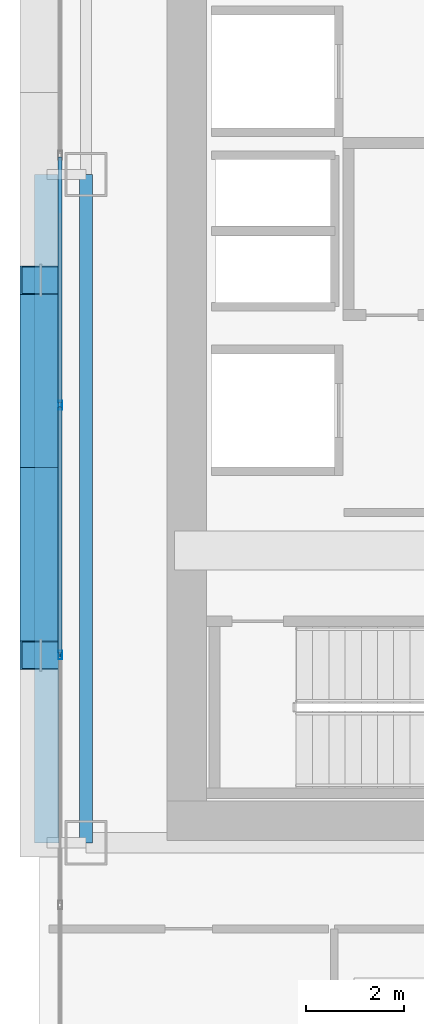
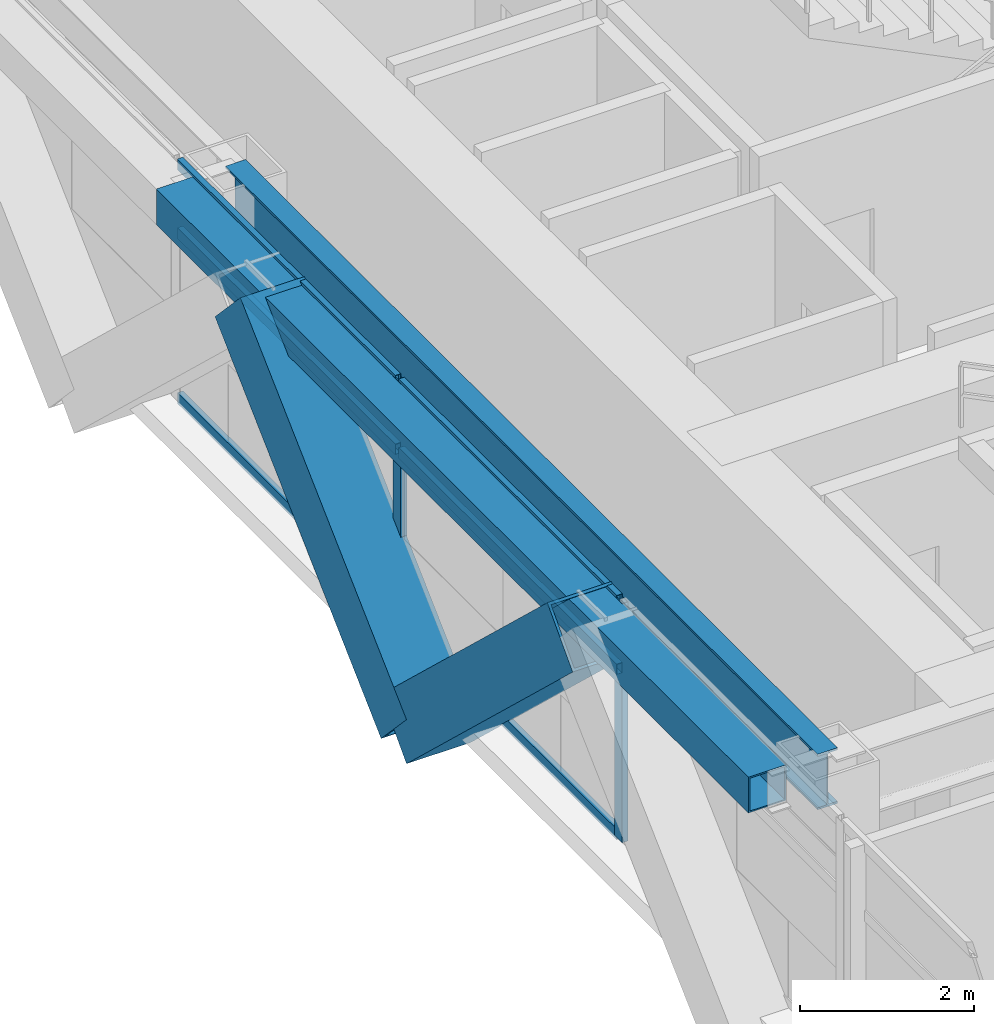
# One storey, part 6 of 35: 10 members, 2 beams, 1 element without a shape of its own.
"""IFC4 building model written with IfcOpenShell, lengths in metres."""

from ifc_helpers import new_model, si_unit, direction, frame, origin, origin_2d, place, context, subcontext, project, spatial, hollow_rectangle, i_section, extrude, source, transform, mapped, material, layer, layer_set, material_profile, profile_set, type_object, element, aggregate, save


model = new_model("IFC4")

# Units and contexts
model_context = context("Model", 3, precision=1e-05, world=origin(), true_north=direction((0.0, 1.0)))
body_context = subcontext(model_context, "Body", "Model", "MODEL_VIEW")
ifc_project = project(units=[si_unit("LENGTHUNIT", "METRE"), si_unit("AREAUNIT", "SQUARE_METRE"), si_unit("VOLUMEUNIT", "CUBIC_METRE"), si_unit("PLANEANGLEUNIT", "RADIAN"), si_unit("MASSUNIT", "GRAM", prefix="KILO")], contexts=[model_context])

# Site, building, storey
site_placement = place(None, origin())
site = spatial("IfcSite", under=ifc_project, at=site_placement, CompositionType="ELEMENT")
building_placement = place(site_placement, origin())
building = spatial("IfcBuilding", under=site, at=building_placement, Name="Ocotamira Hotel", CompositionType="ELEMENT")
storey_placement = place(building_placement, frame((0.0, 0.0, 49.199951171875)))
storey = spatial("IfcBuildingStorey", under=building, at=storey_placement, Name="L11", CompositionType="ELEMENT", Elevation=49.199951171875)

# Beams
ifc_material_1 = material(Name="Steel ASTM A992 Grade 50", Category="steel")
ifc_material_profile_1 = material_profile(ifc_material_1, i_section(OverallWidth=0.26611328125, OverallDepth=0.779052734375, WebThickness=0.0166015625, FlangeThickness=0.030029296875, FilletRadius=0.01806640625, at=origin_2d()), Name="W30X148")
ifc_profile_set_1 = profile_set([ifc_material_profile_1], Name="Steel ASTM A992 Grade 50")
beam_type_1 = type_object("IfcBeamType", Name="BM-GIRD-W30X148", PredefinedType="BEAM", material=ifc_profile_set_1)
shared_shape_1 = source(origin(), body_context, "Body", "SweptSolid", [
    extrude(i_section(OverallWidth=0.26611328125, OverallDepth=0.779052734375, WebThickness=0.0166015625, FlangeThickness=0.030029296875, FilletRadius=0.01806640625, at=origin_2d()), origin(), (0.0, 0.0, 1.0), 13.599853515625),
])
beam_1_placement = place(storey_placement, frame((8.949951171875, 14.550048828125, 2.96044921875), z_axis=(0.0, 1.0, 0.0), x_axis=(-1.0, 0.0, 0.0)))
element("IfcBeam", 1, at=beam_1_placement, inside=storey, type_object=beam_type_1, Name="L11 Beam X8.95 Y14.55-28.15", PredefinedType="BEAM", context=body_context, shape_type="MappedRepresentation", body=[
    mapped(shared_shape_1, transform((0.0, 0.0, 0.0), scale=1.0)),
])
ifc_material_2 = material(Name="Steel ASTM A500 Grade C", Category="steel")
ifc_material_profile_2 = material_profile(ifc_material_2, hollow_rectangle(XDim=0.5, YDim=0.5, WallThickness=0.02001953125, at=origin_2d()), Name="HSS500X500X20")
ifc_profile_set_2 = profile_set([ifc_material_profile_2], Name="Steel ASTM A500 Grade C")
beam_type_2 = type_object("IfcBeamType", Name="BM-SPAN-HSS500", PredefinedType="USERDEFINED", material=ifc_profile_set_2)
shared_shape_2 = source(origin(), body_context, "Body", "SweptSolid", [
    extrude(hollow_rectangle(XDim=0.5, YDim=0.5, WallThickness=0.02001953125, at=origin_2d()), origin(), (0.0, 0.0, 1.0), 13.599853515625),
])
beam_2_placement = place(storey_placement, frame((8.14990234375, 14.550048828125, 3.10009765625), z_axis=(0.0, 1.0, 0.0), x_axis=(-1.0, 0.0, 0.0)))
element("IfcBeam", 2, at=beam_2_placement, inside=storey, type_object=beam_type_2, Name="L11 Edge Spandrel W Y14.55-28.15", ObjectType="SPANDREL", PredefinedType="USERDEFINED", context=body_context, shape_type="MappedRepresentation", body=[
    mapped(shared_shape_2, transform((0.0, 0.0, 0.0), scale=1.0)),
])

# Members
ifc_material_3 = material(Name="Pale-metal coated steel ASTM A913 Grade 65", Category="steel")
ifc_material_profile_3 = material_profile(ifc_material_3, hollow_rectangle(XDim=0.85009765625, YDim=0.85009765625, WallThickness=0.035888671875, at=origin_2d()), Name="BOX850X850X36")
ifc_profile_set_3 = profile_set([ifc_material_profile_3], Name="Pale-metal coated steel ASTM A913 Grade 65")
member_type_1 = type_object("IfcMemberType", Name="MEM-EXO-BOX850", PredefinedType="BRACE", material=ifc_profile_set_3)
shared_shape_3 = source(origin(), body_context, "Body", "SweptSolid", [
    extrude(hollow_rectangle(XDim=0.85009765625, YDim=0.85009765625, WallThickness=0.035888671875, at=origin_2d()), origin(), (0.0, 0.0, 1.0), 5.24658203125),
])
for number, where, z_axis, x_axis, name in (
    (3, (8.030029296875, 22.183349609375, -0.5), (0.0, -0.727442733726, 0.686168397078), (1.0, 0.0, 0.0), "L11 Exoskeleton Diagrid W0.2"),
    (4, (8.030029296875, 22.183349609375, -0.5), (0.0, 0.727442733726, 0.686168397078), (-1.0, 0.0, 0.0), "L11 Exoskeleton Diagrid W1.1"),
):
    element("IfcMember", number, at=place(storey_placement, frame(where, z_axis=z_axis, x_axis=x_axis)), inside=storey, type_object=member_type_1, Name=name, PredefinedType="BRACE", context=body_context, shape_type="MappedRepresentation", body=[
        mapped(shared_shape_3, transform((0.0, 0.0, 0.0), scale=1.0)),
    ])

# Curtain wall, members
ifc_material_4 = material(Name="Anodised pale-metal aluminium and solar glass", Category="aluminium")
ifc_layer = layer(ifc_material_4, 0.179931640625)
ifc_layer_set = layer_set([ifc_layer], Name="Anodised pale-metal aluminium and solar glass")
curtain_wall_type = type_object("IfcCurtainWallType", Name="CW-SYS2-Z1", PredefinedType="NOTDEFINED", material=ifc_layer_set)
curtain_wall_placement = place(storey_placement, origin())
curtain_wall = element("IfcCurtainWall", 5, at=curtain_wall_placement, inside=storey, type_object=curtain_wall_type, Name="L11 Curtain Wall CW-2 CW-L11-W", PredefinedType="NOTDEFINED")
ifc_material_5 = material(Name="Anodised pale-metal aluminium 6063-T6", Category="aluminium")
ifc_material_profile_4 = material_profile(ifc_material_5, hollow_rectangle(XDim=0.074951171875, YDim=0.14990234375, WallThickness=0.006103515625, at=origin_2d()), Name="HSS150X75X6")
ifc_profile_set_4 = profile_set([ifc_material_profile_4], Name="Anodised pale-metal aluminium 6063-T6")
member_type_2 = type_object("IfcMemberType", Name="CWT-150X75", PredefinedType="USERDEFINED", material=ifc_profile_set_4)
shared_shape_4 = source(origin(), body_context, "Body", "SweptSolid", [
    extrude(hollow_rectangle(XDim=0.074951171875, YDim=0.14990234375, WallThickness=0.006103515625, at=origin_2d()), origin(), (0.0, 0.0, 1.0), 5.005859375),
])
member_1_placement = place(storey_placement, frame((8.419921875, 18.411376953125, 0.03759765625), z_axis=(0.0, 1.0, 0.0), x_axis=(-1.0, 0.0, 0.0)))
member_1 = element("IfcMember", 6, at=member_1_placement, type_object=member_type_2, Name="CW-2 transom 3.1", ObjectType="TRANSOM", PredefinedType="USERDEFINED", context=body_context, shape_type="MappedRepresentation", body=[
    mapped(shared_shape_4, transform((0.0, 0.0, 0.0), scale=1.0)),
])
member_2_placement = place(storey_placement, frame((8.419921875, 18.411376953125, 2.35009765625), z_axis=(0.0, 1.0, 0.0), x_axis=(-1.0, 0.0, 0.0)))
member_2 = element("IfcMember", 7, at=member_2_placement, type_object=member_type_2, Name="CW-2 transom 3.2", ObjectType="TRANSOM", PredefinedType="USERDEFINED", context=body_context, shape_type="MappedRepresentation", body=[
    mapped(shared_shape_4, transform((0.0, 0.0, 0.0), scale=1.0)),
])
member_3_placement = place(storey_placement, frame((8.419921875, 18.411376953125, 3.3125), z_axis=(0.0, 1.0, 0.0), x_axis=(-1.0, 0.0, 0.0)))
member_3 = element("IfcMember", 8, at=member_3_placement, type_object=member_type_2, Name="CW-2 transom 3.3", ObjectType="TRANSOM", PredefinedType="USERDEFINED", context=body_context, shape_type="MappedRepresentation", body=[
    mapped(shared_shape_4, transform((0.0, 0.0, 0.0), scale=1.0)),
])
member_4_placement = place(storey_placement, frame((8.419921875, 23.4970703125, 0.03759765625), z_axis=(0.0, 1.0, 0.0), x_axis=(-1.0, 0.0, 0.0)))
member_4 = element("IfcMember", 9, at=member_4_placement, type_object=member_type_2, Name="CW-2 transom 4.1", ObjectType="TRANSOM", PredefinedType="USERDEFINED", context=body_context, shape_type="MappedRepresentation", body=[
    mapped(shared_shape_4, transform((0.0, 0.0, 0.0), scale=1.0)),
])
member_5_placement = place(storey_placement, frame((8.419921875, 23.4970703125, 2.35009765625), z_axis=(0.0, 1.0, 0.0), x_axis=(-1.0, 0.0, 0.0)))
member_5 = element("IfcMember", 10, at=member_5_placement, type_object=member_type_2, Name="CW-2 transom 4.2", ObjectType="TRANSOM", PredefinedType="USERDEFINED", context=body_context, shape_type="MappedRepresentation", body=[
    mapped(shared_shape_4, transform((0.0, 0.0, 0.0), scale=1.0)),
])
member_6_placement = place(storey_placement, frame((8.419921875, 23.4970703125, 3.3125), z_axis=(0.0, 1.0, 0.0), x_axis=(-1.0, 0.0, 0.0)))
member_6 = element("IfcMember", 11, at=member_6_placement, type_object=member_type_2, Name="CW-2 transom 4.3", ObjectType="TRANSOM", PredefinedType="USERDEFINED", context=body_context, shape_type="MappedRepresentation", body=[
    mapped(shared_shape_4, transform((0.0, 0.0, 0.0), scale=1.0)),
])
ifc_material_profile_5 = material_profile(ifc_material_5, hollow_rectangle(XDim=0.080078125, YDim=0.179931640625, WallThickness=0.006103515625, at=origin_2d()), Name="HSS180X80X6")
ifc_profile_set_5 = profile_set([ifc_material_profile_5], Name="Anodised pale-metal aluminium 6063-T6")
member_type_3 = type_object("IfcMemberType", Name="CWM-180X75", PredefinedType="MULLION", material=ifc_profile_set_5)
shared_shape_5 = source(origin(), body_context, "Body", "SweptSolid", [
    extrude(hollow_rectangle(XDim=0.080078125, YDim=0.179931640625, WallThickness=0.006103515625, at=origin_2d()), origin(), (0.0, 0.0, 1.0), 3.35009765625),
])
member_7_placement = place(storey_placement, frame((8.419921875, 18.371337890625, 0.0), z_axis=(0.0, 0.0, 1.0), x_axis=(-1.0, 0.0, 0.0)))
member_7 = element("IfcMember", 12, at=member_7_placement, type_object=member_type_3, Name="CW-2 mullion 3", PredefinedType="MULLION", context=body_context, shape_type="MappedRepresentation", body=[
    mapped(shared_shape_5, transform((0.0, 0.0, 0.0), scale=1.0)),
])
member_8_placement = place(storey_placement, frame((8.419921875, 23.45703125, 0.0), z_axis=(0.0, 0.0, 1.0), x_axis=(-1.0, 0.0, 0.0)))
member_8 = element("IfcMember", 13, at=member_8_placement, type_object=member_type_3, Name="CW-2 mullion 4", PredefinedType="MULLION", context=body_context, shape_type="MappedRepresentation", body=[
    mapped(shared_shape_5, transform((0.0, 0.0, 0.0), scale=1.0)),
])
aggregate(curtain_wall, [member_7, member_8, member_1, member_2, member_3, member_4, member_5, member_6])

save(model, "model.ifc")
